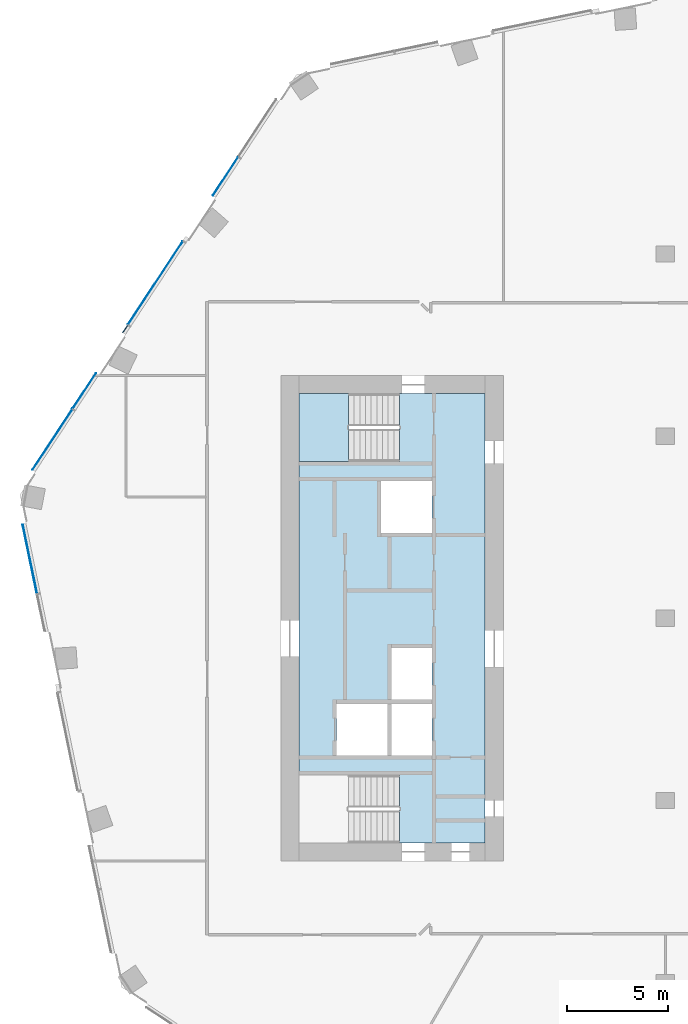
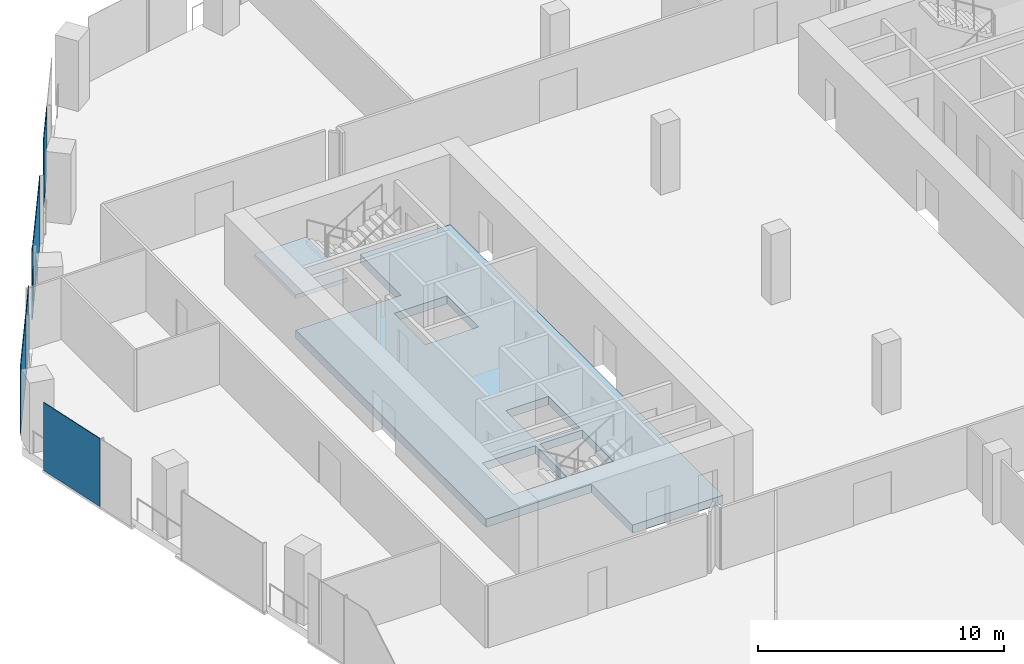
# One storey, part 13 of 26: 6 plates, 2 slabs, 3 elements without a shape of their own.
"""IFC4 building model written with IfcOpenShell, lengths in metres."""

from ifc_helpers import new_model, si_unit, direction, frame, origin, origin_2d, place, context, subcontext, project, spatial, polyline, rectangle, outline, extrude, material, layer, layer_set, type_object, element, aggregate, save


model = new_model("IFC4")

# Units and contexts
model_context = context("Model", 3, precision=1e-05, world=origin(), true_north=direction((0.0, 1.0)))
body_context = subcontext(model_context, "Body", "Model", "MODEL_VIEW")
ifc_project = project(units=[si_unit("LENGTHUNIT", "METRE"), si_unit("AREAUNIT", "SQUARE_METRE"), si_unit("VOLUMEUNIT", "CUBIC_METRE"), si_unit("PLANEANGLEUNIT", "RADIAN"), si_unit("MASSUNIT", "GRAM", prefix="KILO")], contexts=[model_context])

# Site, building, storey
site_placement = place(None, origin())
site = spatial("IfcSite", under=ifc_project, at=site_placement, CompositionType="ELEMENT")
building_placement = place(site_placement, origin())
building = spatial("IfcBuilding", under=site, at=building_placement, Name="Orlundy Tower", CompositionType="ELEMENT")
storey_placement = place(building_placement, frame((0.0, 0.0, 232.0)))
storey = spatial("IfcBuildingStorey", under=building, at=storey_placement, Name="L61", CompositionType="ELEMENT", Elevation=232.0)

# Curtain wall, plate
ifc_material_1 = material(Name="Aluminium bronze anodised", Category="aluminium")
curtain_wall_type = type_object("IfcCurtainWallType", Name="CW1 wall", PredefinedType="NOTDEFINED", material=ifc_material_1)
curtain_wall_1_placement = place(storey_placement, origin())
curtain_wall_1 = element("IfcCurtainWall", 1, at=curtain_wall_1_placement, inside=storey, type_object=curtain_wall_type, Name="CW1 run 014", PredefinedType="NOTDEFINED")
ifc_material_2 = material(Name="Tinted glass", Category="glass")
ifc_layer_1 = layer(ifc_material_2, 0.031982421875)
ifc_layer_set_1 = layer_set([ifc_layer_1], Name="CW1 glass panel 32")
plate_type = type_object("IfcPlateType", Name="CW1 glass panel 32", PredefinedType="CURTAIN_PANEL", material=ifc_layer_set_1)
plate_1_placement = place(storey_placement, frame((-31.404296875, 2.925048828125, -0.280029296875), z_axis=(0.0, 0.0, 1.0), x_axis=(-0.202233038095, 0.979337428215, 0.0)))
plate_1 = element("IfcPlate", 2, at=plate_1_placement, type_object=plate_type, Name="CW1 panel", PredefinedType="CURTAIN_PANEL", context=body_context, shape_type="SweptSolid", body=[
    extrude(rectangle(XDim=3.46875, YDim=0.031982421875, at=origin_2d()), origin(), (0.0, 0.0, 1.0), 3.3798828125),
])
aggregate(curtain_wall_1, [plate_1])

# Curtain wall, plates
curtain_wall_2_placement = place(storey_placement, origin())
curtain_wall_2 = element("IfcCurtainWall", 3, at=curtain_wall_2_placement, inside=storey, type_object=curtain_wall_type, Name="CW1 run 015", PredefinedType="NOTDEFINED")
plate_2_placement = place(storey_placement, frame((-30.29443359375, 8.831787109375, -0.280029296875), z_axis=(0.0, 0.0, 1.0), x_axis=(0.5495174705, 0.835482225793, 0.0)))
plate_2 = element("IfcPlate", 4, at=plate_2_placement, type_object=plate_type, Name="CW1 panel", PredefinedType="CURTAIN_PANEL", context=body_context, shape_type="SweptSolid", body=[
    extrude(rectangle(XDim=3.57470703125, YDim=0.031982421875, at=origin_2d()), origin(), (0.0, 0.0, 1.0), 3.3798828125),
])
plate_3_placement = place(storey_placement, frame((-28.71240234375, 11.2373046875, -0.280029296875), z_axis=(0.0, 0.0, 1.0), x_axis=(0.5495174705, 0.835482225793, 0.0)))
plate_3 = element("IfcPlate", 5, at=plate_3_placement, type_object=plate_type, Name="CW1 panel", PredefinedType="CURTAIN_PANEL", context=body_context, shape_type="SweptSolid", body=[
    extrude(rectangle(XDim=2.083740234375, YDim=0.031982421875, at=origin_2d()), origin(), (0.0, 0.0, 1.0), 3.3798828125),
])
plate_4_placement = place(storey_placement, frame((-26.701904296875, 14.293701171875, -0.280029296875), z_axis=(0.0, 0.0, 1.0), x_axis=(0.5495174705, 0.835482225793, 0.0)))
plate_4 = element("IfcPlate", 6, at=plate_4_placement, type_object=plate_type, Name="CW1 panel", PredefinedType="CURTAIN_PANEL", context=body_context, shape_type="SweptSolid", body=[
    extrude(rectangle(XDim=0.4404296875, YDim=0.031982421875, at=origin_2d()), origin(), (0.0, 0.0, 1.0), 3.3798828125),
])
plate_5_placement = place(storey_placement, frame((-25.201416015625, 16.5751953125, -0.280029296875), z_axis=(0.0, 0.0, 1.0), x_axis=(0.5495174705, 0.835482225793, 0.0)))
plate_5 = element("IfcPlate", 7, at=plate_5_placement, type_object=plate_type, Name="CW1 panel", PredefinedType="CURTAIN_PANEL", context=body_context, shape_type="SweptSolid", body=[
    extrude(rectangle(XDim=4.920654296875, YDim=0.031982421875, at=origin_2d()), origin(), (0.0, 0.0, 1.0), 3.3798828125),
])
plate_6_placement = place(storey_placement, frame((-21.739990234375, 21.838134765625, -0.280029296875), z_axis=(0.0, 0.0, 1.0), x_axis=(0.5495174705, 0.835482225793, 0.0)))
plate_6 = element("IfcPlate", 8, at=plate_6_placement, type_object=plate_type, Name="CW1 panel", PredefinedType="CURTAIN_PANEL", context=body_context, shape_type="SweptSolid", body=[
    extrude(rectangle(XDim=2.262939453125, YDim=0.031982421875, at=origin_2d()), origin(), (0.0, 0.0, 1.0), 3.3798828125),
])
aggregate(curtain_wall_2, [plate_2, plate_3, plate_4, plate_5, plate_6])

# Slab
ifc_material_3 = material(Name="Concrete C50/60", Category="concrete")
ifc_layer_2 = layer(ifc_material_3, 0.409912109375)
ifc_layer_set_2 = layer_set([ifc_layer_2], Name="Core Floor Slab 410")
slab_type_1 = type_object("IfcSlabType", Name="Core Floor Slab 410", PredefinedType="FLOOR", material=ifc_layer_set_2)
slab_1_placement = place(storey_placement, frame((0.0, 0.0, -0.409912109375)))
element("IfcSlab", 9, at=slab_1_placement, inside=storey, type_object=slab_type_1, Name="Core floor W47", PredefinedType="FLOOR", context=body_context, shape_type="SweptSolid", body=[
    extrude(outline(polyline([(-18.10009765625, 7.75), (-13.14501953125, 7.75), (-13.14501953125, 11.10009765625), (-8.89990234375, 11.10009765625), (-8.89990234375, -11.10009765625), (-13.14501953125, -11.10009765625), (-13.14501953125, -7.75), (-18.10009765625, -7.75), (-18.10009765625, 7.75)]), holes=[polyline([(-13.5400390625, -4.22509765625), (-13.5400390625, -6.77490234375), (-11.5400390625, -6.77490234375), (-11.5400390625, -4.22509765625), (-13.5400390625, -4.22509765625)]), polyline([(-13.739990234375, -4.22509765625), (-16.239990234375, -4.22509765625), (-16.239990234375, -6.77490234375), (-13.739990234375, -6.77490234375), (-13.739990234375, -4.22509765625)]), polyline([(-11.5400390625, -4.02490234375), (-11.5400390625, -1.47509765625), (-13.5400390625, -1.47509765625), (-13.5400390625, -4.02490234375), (-11.5400390625, -4.02490234375)]), polyline([(-14.0400390625, 4.22509765625), (-11.5400390625, 4.22509765625), (-11.5400390625, 6.77490234375), (-14.0400390625, 6.77490234375), (-14.0400390625, 4.22509765625)])]), origin(), (0.0, 0.0, 1.0), 0.409912109375),
])

# Stair, slab
ifc_material_4 = material(Name="Concrete C50/60", Category="concrete")
stair_type = type_object("IfcStairType", Name="Exit Stair 20 risers", PredefinedType="HALF_TURN_STAIR", material=ifc_material_4)
stair_placement = place(storey_placement, origin())
stair = element("IfcStair", 10, at=stair_placement, inside=storey, type_object=stair_type, Name="L61 Exit Stair ST-W1", PredefinedType="HALF_TURN_STAIR")
ifc_material_5 = material(Name="Concrete C50/60", Category="concrete")
ifc_layer_3 = layer(ifc_material_5, 0.199951171875)
ifc_layer_set_3 = layer_set([ifc_layer_3], Name="Exit Stair Landing")
slab_type_2 = type_object("IfcSlabType", Name="Exit Stair Landing", PredefinedType="LANDING", material=ifc_layer_set_3)
slab_2_placement = place(storey_placement, frame((0.0, 0.0, 1.550048828125)))
slab_2 = element("IfcSlab", 11, at=slab_2_placement, type_object=slab_type_2, Name="ST-W1 landing 1", PredefinedType="LANDING", context=body_context, shape_type="SweptSolid", body=[
    extrude(outline(polyline([(-15.659912109375, 11.10009765625), (-18.10009765625, 11.10009765625), (-18.10009765625, 7.75), (-15.659912109375, 7.75), (-15.659912109375, 11.10009765625)])), origin(), (0.0, 0.0, 1.0), 0.199951171875),
])
aggregate(stair, [slab_2])

save(model, "model.ifc")
